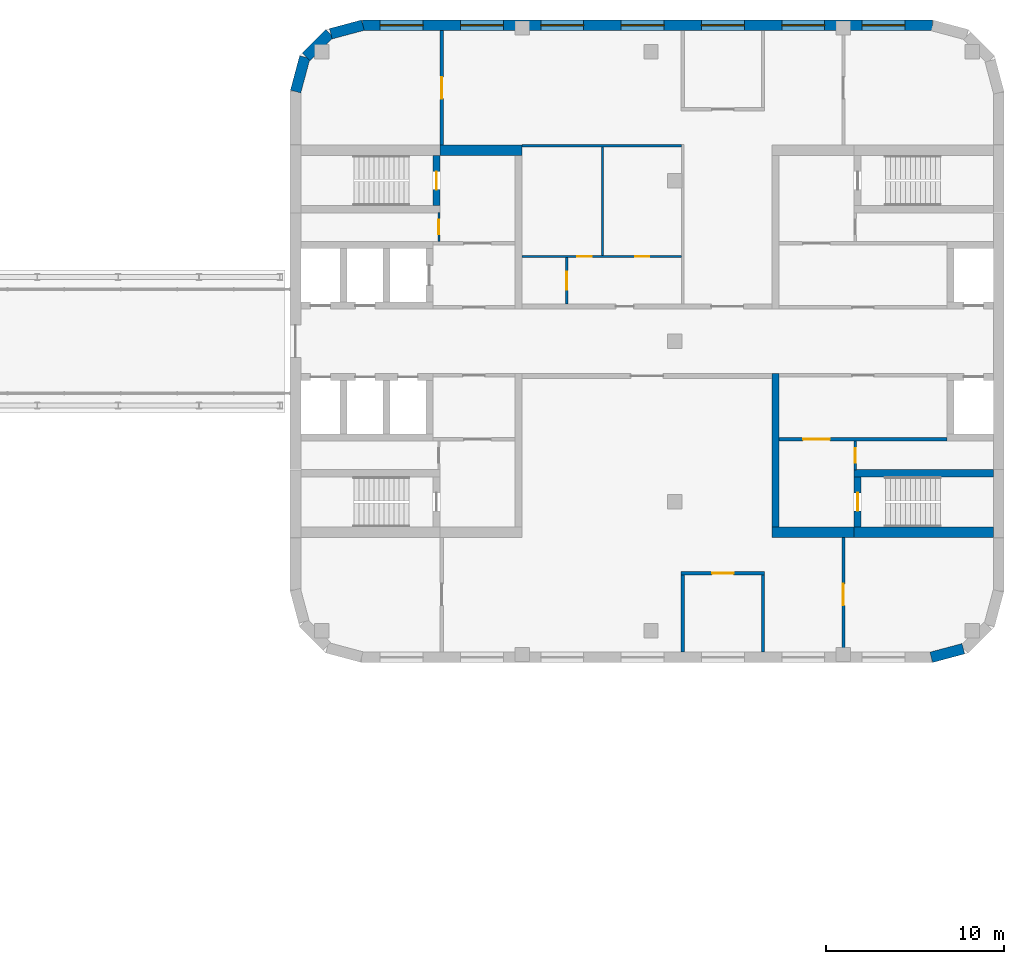
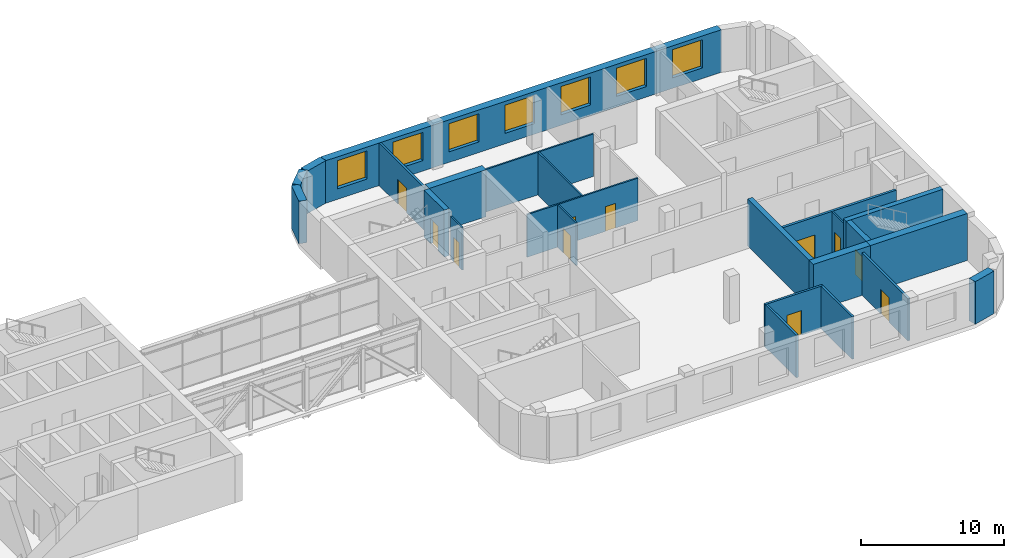
# One storey, part 11 of 18: 24 walls, 11 doors, 7 windows, 18 openings.
"""IFC4 building model written with IfcOpenShell, lengths in metres."""

from ifc_helpers import new_model, si_unit, direction, frame, frame_2d, origin, place, context, subcontext, project, spatial, rectangle, extrude, material, layer, layer_set, type_object, element, fill, save


model = new_model("IFC4")

# Units and contexts
model_context = context("Model", 3, precision=1e-05, world=origin(), true_north=direction((0.0, 1.0)))
body_context = subcontext(model_context, "Body", "Model", "MODEL_VIEW")
ifc_project = project(units=[si_unit("LENGTHUNIT", "METRE"), si_unit("AREAUNIT", "SQUARE_METRE"), si_unit("VOLUMEUNIT", "CUBIC_METRE"), si_unit("PLANEANGLEUNIT", "RADIAN"), si_unit("MASSUNIT", "GRAM", prefix="KILO")], contexts=[model_context])

# Site, building, storey
site_placement = place(None, origin())
site = spatial("IfcSite", under=ifc_project, at=site_placement, CompositionType="ELEMENT")
building_placement = place(site_placement, origin())
building = spatial("IfcBuilding", under=site, at=building_placement, Name="Skarvind Civic Tower", CompositionType="ELEMENT")
storey_placement = place(building_placement, frame((0.0, 0.0, 31.5)))
storey = spatial("IfcBuildingStorey", under=building, at=storey_placement, Name="L06", CompositionType="ELEMENT", Elevation=31.5)

# Wall, opening, door
ifc_material_1 = material(Name="Acoustic gypsum board on steel studs", Category="steel")
ifc_layer_1 = layer(ifc_material_1, 0.175048828125)
ifc_layer_set_1 = layer_set([ifc_layer_1], Name="ACOUSTIC MEETING-ROOM PARTITION 175")
wall_type_1 = type_object("IfcWallType", Name="ACOUSTIC MEETING-ROOM PARTITION 175", PredefinedType="PARTITIONING", material=ifc_layer_set_1)
wall_1_placement = place(storey_placement, frame((135.5, 145.39990234375, 0.0), z_axis=(0.0, 0.0, 1.0), x_axis=(0.0, -1.0, 0.0)))
wall_1 = element("IfcWall", 1, at=wall_1_placement, inside=storey, type_object=wall_type_1, Name="Partition 06.002", PredefinedType="PARTITIONING", context=body_context, shape_type="SweptSolid", body=[
    extrude(rectangle(XDim=6.39990234375, YDim=0.175048828125, at=frame_2d((3.199951171875, 0.0))), origin(), (0.0, 0.0, 1.0), 3.625),
])
opening_1_placement = place(wall_1_placement, frame((2.60009765625, 0.0, 0.0)))
opening_1 = element("IfcOpeningElement", 2, at=opening_1_placement, cuts=wall_1, Name="Opening L06-D107", PredefinedType="OPENING", context=body_context, shape_type="SweptSolid", body=[
    extrude(rectangle(XDim=1.199951171875, YDim=2.10009765625, at=frame_2d((0.60009765625, 1.050048828125))), frame((0.0, 0.097412109375, 0.0), z_axis=(0.0, -1.0, 0.0), x_axis=(1.0, 0.0, 0.0)), (0.0, 0.0, 1.0), 0.195068359375),
])
ifc_material_2 = material(Name="Timber door leaf", Category="wood")
door_type_1 = type_object("IfcDoorType", Name="DOOR 1200X2100 DOUBLE TIMBER", OperationType="NOTDEFINED", PredefinedType="DOOR", material=ifc_material_2)
door_1_placement = place(opening_1_placement, origin())
door_1 = element("IfcDoor", 3, at=door_1_placement, inside=storey, type_object=door_type_1, Name="Door L06-D107", OperationType="DOUBLE_DOOR_SINGLE_SWING", OverallHeight=2.10009765625, OverallWidth=1.199951171875, PredefinedType="DOOR", context=body_context, shape_type="SweptSolid", body=[
    extrude(rectangle(XDim=1.199951171875, YDim=2.10009765625, at=frame_2d((0.60009765625, 1.050048828125))), frame((0.0, 0.02490234375, 0.0), z_axis=(0.0, -1.0, 0.0), x_axis=(1.0, 0.0, 0.0)), (0.0, 0.0, 1.0), 0.050048828125),
])
fill(opening_1, door_1)

# Wall
wall_2_placement = place(storey_placement, frame((149.0, 110.60009765625, 0.0), z_axis=(0.0, 0.0, 1.0), x_axis=(0.0, 1.0, 0.0)))
element("IfcWall", 4, at=wall_2_placement, inside=storey, type_object=wall_type_1, Name="Partition 06.008", PredefinedType="PARTITIONING", context=body_context, shape_type="SweptSolid", body=[
    extrude(rectangle(XDim=4.31201171875, YDim=0.175048828125, at=frame_2d((2.156005859375, 0.0))), origin(), (0.0, 0.0, 1.0), 3.625),
])

# Wall, opening, door
wall_3_placement = place(storey_placement, frame((148.912109375, 115.0, 0.0), z_axis=(0.0, 0.0, 1.0), x_axis=(1.0, 0.0, 0.0)))
wall_3 = element("IfcWall", 5, at=wall_3_placement, inside=storey, type_object=wall_type_1, Name="Partition 06.009", PredefinedType="PARTITIONING", context=body_context, shape_type="SweptSolid", body=[
    extrude(rectangle(XDim=4.67578125, YDim=0.175048828125, at=frame_2d((2.337890625, 0.0))), origin(), (0.0, 0.0, 1.0), 3.625),
])
opening_2_placement = place(wall_3_placement, frame((1.738037109375, 0.0, 0.0)))
opening_2 = element("IfcOpeningElement", 6, at=opening_2_placement, cuts=wall_3, Name="Opening L06-D110", PredefinedType="OPENING", context=body_context, shape_type="SweptSolid", body=[
    extrude(rectangle(XDim=1.199951171875, YDim=2.10009765625, at=frame_2d((0.60009765625, 1.050048828125))), frame((0.0, 0.097412109375, 0.0), z_axis=(0.0, -1.0, 0.0), x_axis=(1.0, 0.0, 0.0)), (0.0, 0.0, 1.0), 0.195068359375),
])
door_2_placement = place(opening_2_placement, origin())
door_2 = element("IfcDoor", 7, at=door_2_placement, inside=storey, type_object=door_type_1, Name="Door L06-D110", OperationType="DOUBLE_DOOR_SINGLE_SWING", OverallHeight=2.10009765625, OverallWidth=1.199951171875, PredefinedType="DOOR", context=body_context, shape_type="SweptSolid", body=[
    extrude(rectangle(XDim=1.199951171875, YDim=2.10009765625, at=frame_2d((0.60009765625, 1.050048828125))), frame((0.0, 0.02490234375, 0.0), z_axis=(0.0, -1.0, 0.0), x_axis=(1.0, 0.0, 0.0)), (0.0, 0.0, 1.0), 0.050048828125),
])
fill(opening_2, door_2)

# Wall
wall_4_placement = place(storey_placement, frame((153.5, 114.912109375, 0.0), z_axis=(0.0, 0.0, 1.0), x_axis=(0.0, -1.0, 0.0)))
element("IfcWall", 8, at=wall_4_placement, inside=storey, type_object=wall_type_1, Name="Partition 06.012", PredefinedType="PARTITIONING", context=body_context, shape_type="SweptSolid", body=[
    extrude(rectangle(XDim=4.31201171875, YDim=0.175048828125, at=frame_2d((2.156005859375, 0.0))), origin(), (0.0, 0.0, 1.0), 3.625),
])

# Wall, opening, door
wall_5_placement = place(storey_placement, frame((158.0, 110.60009765625, 0.0), z_axis=(0.0, 0.0, 1.0), x_axis=(0.0, 1.0, 0.0)))
wall_5 = element("IfcWall", 9, at=wall_5_placement, inside=storey, type_object=wall_type_1, Name="Partition 06.016", PredefinedType="PARTITIONING", context=body_context, shape_type="SweptSolid", body=[
    extrude(rectangle(XDim=6.39990234375, YDim=0.175048828125, at=frame_2d((3.199951171875, 0.0))), origin(), (0.0, 0.0, 1.0), 3.625),
])
opening_3_placement = place(wall_5_placement, frame((2.60009765625, 0.0, 0.0)))
opening_3 = element("IfcOpeningElement", 10, at=opening_3_placement, cuts=wall_5, Name="Opening L06-D112", PredefinedType="OPENING", context=body_context, shape_type="SweptSolid", body=[
    extrude(rectangle(XDim=1.199951171875, YDim=2.10009765625, at=frame_2d((0.60009765625, 1.050048828125))), frame((0.0, 0.097412109375, 0.0), z_axis=(0.0, -1.0, 0.0), x_axis=(1.0, 0.0, 0.0)), (0.0, 0.0, 1.0), 0.195068359375),
])
door_3_placement = place(opening_3_placement, origin())
door_3 = element("IfcDoor", 11, at=door_3_placement, inside=storey, type_object=door_type_1, Name="Door L06-D112", OperationType="DOUBLE_DOOR_SINGLE_SWING", OverallHeight=2.10009765625, OverallWidth=1.199951171875, PredefinedType="DOOR", context=body_context, shape_type="SweptSolid", body=[
    extrude(rectangle(XDim=1.199951171875, YDim=2.10009765625, at=frame_2d((0.60009765625, 1.050048828125))), frame((0.0, 0.02490234375, 0.0), z_axis=(0.0, -1.0, 0.0), x_axis=(1.0, 0.0, 0.0)), (0.0, 0.0, 1.0), 0.050048828125),
])
fill(opening_3, door_3)

ifc_material_3 = material(Name="Fire-rated masonry partition", Category="masonry")
ifc_layer_2 = layer(ifc_material_3, 0.199951171875)
ifc_layer_set_2 = layer_set([ifc_layer_2], Name="Core enclosure wall 200")
wall_type_2 = type_object("IfcWallType", Name="Core enclosure wall 200", PredefinedType="PARTITIONING", material=ifc_layer_set_2)
wall_6_placement = place(storey_placement, frame((163.800048828125, 122.5, 0.0), z_axis=(0.0, 0.0, 1.0), x_axis=(-1.0, 0.0, 0.0)))
wall_6 = element("IfcWall", 12, at=wall_6_placement, inside=storey, type_object=wall_type_2, Name="Core wall CB", PredefinedType="PARTITIONING", context=body_context, shape_type="SweptSolid", body=[
    extrude(rectangle(XDim=9.400146484375, YDim=0.199951171875, at=frame_2d((4.7001953125, 0.0))), origin(), (0.0, 0.0, 1.0), 3.625),
])
opening_4_placement = place(wall_6_placement, frame((6.550048828125, 0.0, 0.0)))
opening_4 = element("IfcOpeningElement", 13, at=opening_4_placement, cuts=wall_6, Name="Opening D-L06-CB-04", PredefinedType="OPENING", context=body_context, shape_type="SweptSolid", body=[
    extrude(rectangle(XDim=1.5, YDim=2.10009765625, at=frame_2d((0.75, 1.050048828125))), frame((0.0, 0.10986328125, 0.0), z_axis=(0.0, -1.0, 0.0), x_axis=(1.0, 0.0, 0.0)), (0.0, 0.0, 1.0), 0.219970703125),
])
ifc_material_4 = material(Name="Fire-rated steel door", Category="steel")
door_type_2 = type_object("IfcDoorType", Name="Fire door 1500", OperationType="NOTDEFINED", PredefinedType="DOOR", material=ifc_material_4)
door_4_placement = place(opening_4_placement, origin())
door_4 = element("IfcDoor", 14, at=door_4_placement, inside=storey, type_object=door_type_2, Name="Fire door", OperationType="DOUBLE_DOOR_SINGLE_SWING", OverallHeight=2.10009765625, OverallWidth=1.5, PredefinedType="DOOR", context=body_context, shape_type="SweptSolid", body=[
    extrude(rectangle(XDim=1.5, YDim=2.10009765625, at=frame_2d((0.75, 1.050048828125))), frame((0.0, 0.02490234375, 0.0), z_axis=(0.0, -1.0, 0.0), x_axis=(1.0, 0.0, 0.0)), (0.0, 0.0, 1.0), 0.050048828125),
])
fill(opening_4, door_4)

ifc_material_5 = material(Name="Concrete C80", Category="concrete")
ifc_layer_3 = layer(ifc_material_5, 0.39990234375)
ifc_layer_set_3 = layer_set([ifc_layer_3], Name="Core wall 400 C80")
wall_type_3 = type_object("IfcWallType", Name="Core wall 400 C80", PredefinedType="SHEAR", material=ifc_layer_set_3)
wall_7_placement = place(storey_placement, frame((135.199951171875, 135.60009765625, 0.0), z_axis=(0.0, 0.0, 1.0), x_axis=(0.0, 1.0, 0.0)))
wall_7 = element("IfcWall", 15, at=wall_7_placement, inside=storey, type_object=wall_type_3, Name="Core wall CA north stair end L06", PredefinedType="SHEAR", context=body_context, shape_type="SweptSolid", body=[
    extrude(rectangle(XDim=2.7998046875, YDim=0.39990234375, at=frame_2d((1.39990234375, 0.0))), origin(), (0.0, 0.0, 1.0), 4.0),
])
opening_5_placement = place(wall_7_placement, frame((0.89990234375, 0.0, 0.0)))
opening_5 = element("IfcOpeningElement", 16, at=opening_5_placement, cuts=wall_7, Name="Opening D-L06-CA-08", PredefinedType="OPENING", context=body_context, shape_type="SweptSolid", body=[
    extrude(rectangle(XDim=1.0, YDim=2.10009765625, at=frame_2d((0.5, 1.050048828125))), frame((0.0, 0.2099609375, 0.0), z_axis=(0.0, -1.0, 0.0), x_axis=(1.0, 0.0, 0.0)), (0.0, 0.0, 1.0), 0.419921875),
])
door_type_3 = type_object("IfcDoorType", Name="Fire door 1000", OperationType="NOTDEFINED", PredefinedType="DOOR", material=ifc_material_4)
door_5_placement = place(opening_5_placement, origin())
door_5 = element("IfcDoor", 17, at=door_5_placement, inside=storey, type_object=door_type_3, Name="Fire door", OperationType="SINGLE_SWING_LEFT", OverallHeight=2.10009765625, OverallWidth=1.0, PredefinedType="DOOR", context=body_context, shape_type="SweptSolid", body=[
    extrude(rectangle(XDim=1.0, YDim=2.10009765625, at=frame_2d((0.5, 1.050048828125))), frame((0.0, 0.02490234375, 0.0), z_axis=(0.0, -1.0, 0.0), x_axis=(1.0, 0.0, 0.0)), (0.0, 0.0, 1.0), 0.050048828125),
])
fill(opening_5, door_5)

# Wall
wall_8_placement = place(storey_placement, frame((166.39990234375, 120.60009765625, 0.0), z_axis=(0.0, 0.0, 1.0), x_axis=(-1.0, 0.0, 0.0)))
element("IfcWall", 18, at=wall_8_placement, inside=storey, type_object=wall_type_3, Name="Core wall CB north stair inner L06", PredefinedType="SHEAR", context=body_context, shape_type="SweptSolid", body=[
    extrude(rectangle(XDim=7.7998046875, YDim=0.39990234375, at=frame_2d((3.89990234375, 0.0))), origin(), (0.0, 0.0, 1.0), 4.0),
])

# Wall, opening, door
wall_9_placement = place(storey_placement, frame((158.800048828125, 120.39990234375, 0.0), z_axis=(0.0, 0.0, 1.0), x_axis=(0.0, -1.0, 0.0)))
wall_9 = element("IfcWall", 19, at=wall_9_placement, inside=storey, type_object=wall_type_3, Name="Core wall CB north stair end L06", PredefinedType="SHEAR", context=body_context, shape_type="SweptSolid", body=[
    extrude(rectangle(XDim=2.7998046875, YDim=0.39990234375, at=frame_2d((1.39990234375, 0.0))), origin(), (0.0, 0.0, 1.0), 4.0),
])
opening_6_placement = place(wall_9_placement, frame((0.89990234375, 0.0, 0.0)))
opening_6 = element("IfcOpeningElement", 20, at=opening_6_placement, cuts=wall_9, Name="Opening D-L06-CB-05", PredefinedType="OPENING", context=body_context, shape_type="SweptSolid", body=[
    extrude(rectangle(XDim=1.0, YDim=2.10009765625, at=frame_2d((0.5, 1.050048828125))), frame((0.0, 0.2099609375, 0.0), z_axis=(0.0, -1.0, 0.0), x_axis=(1.0, 0.0, 0.0)), (0.0, 0.0, 1.0), 0.419921875),
])
door_6_placement = place(opening_6_placement, origin())
door_6 = element("IfcDoor", 21, at=door_6_placement, inside=storey, type_object=door_type_3, Name="Fire door", OperationType="SINGLE_SWING_LEFT", OverallHeight=2.10009765625, OverallWidth=1.0, PredefinedType="DOOR", context=body_context, shape_type="SweptSolid", body=[
    extrude(rectangle(XDim=1.0, YDim=2.10009765625, at=frame_2d((0.5, 1.050048828125))), frame((0.0, 0.02490234375, 0.0), z_axis=(0.0, -1.0, 0.0), x_axis=(1.0, 0.0, 0.0)), (0.0, 0.0, 1.0), 0.050048828125),
])
fill(opening_6, door_6)

# Walls
wall_10_placement = place(storey_placement, frame((154.199951171875, 126.199951171875, 0.0), z_axis=(0.0, 0.0, 1.0), x_axis=(0.0, -1.0, 0.0)))
element("IfcWall", 22, at=wall_10_placement, inside=storey, type_object=wall_type_3, Name="Core wall CB north inner face L06", PredefinedType="SHEAR", context=body_context, shape_type="SweptSolid", body=[
    extrude(rectangle(XDim=8.599853515625, YDim=0.39990234375, at=frame_2d((4.2998046875, 0.0))), origin(), (0.0, 0.0, 1.0), 4.0),
])
ifc_layer_4 = layer(ifc_material_5, 0.60009765625)
ifc_layer_set_4 = layer_set([ifc_layer_4], Name="Core wall 600 C80")
wall_type_4 = type_object("IfcWallType", Name="Core wall 600 C80", PredefinedType="SHEAR", material=ifc_layer_set_4)
wall_11_placement = place(storey_placement, frame((135.39990234375, 138.699951171875, 0.0), z_axis=(0.0, 0.0, 1.0), x_axis=(1.0, 0.0, 0.0)))
element("IfcWall", 23, at=wall_11_placement, inside=storey, type_object=wall_type_4, Name="Core wall CA north side L06", PredefinedType="SHEAR", context=body_context, shape_type="SweptSolid", body=[
    extrude(rectangle(XDim=4.60009765625, YDim=0.60009765625, at=frame_2d((2.300048828125, 0.0))), origin(), (0.0, 0.0, 1.0), 4.0),
])
wall_12_placement = place(storey_placement, frame((166.39990234375, 117.300048828125, 0.0), z_axis=(0.0, 0.0, 1.0), x_axis=(-1.0, 0.0, 0.0)))
element("IfcWall", 24, at=wall_12_placement, inside=storey, type_object=wall_type_4, Name="Core wall CB north side at the stair L06", PredefinedType="SHEAR", context=body_context, shape_type="SweptSolid", body=[
    extrude(rectangle(XDim=7.7998046875, YDim=0.60009765625, at=frame_2d((3.89990234375, 0.0))), origin(), (0.0, 0.0, 1.0), 4.0),
])
wall_13_placement = place(storey_placement, frame((158.60009765625, 117.300048828125, 0.0), z_axis=(0.0, 0.0, 1.0), x_axis=(-1.0, 0.0, 0.0)))
element("IfcWall", 25, at=wall_13_placement, inside=storey, type_object=wall_type_4, Name="Core wall CB north side L06", PredefinedType="SHEAR", context=body_context, shape_type="SweptSolid", body=[
    extrude(rectangle(XDim=4.60009765625, YDim=0.60009765625, at=frame_2d((2.300048828125, 0.0))), origin(), (0.0, 0.0, 1.0), 4.0),
])

# Wall, opening, door
ifc_layer_5 = layer(ifc_material_3, 0.125)
ifc_layer_set_5 = layer_set([ifc_layer_5], Name="Riser wall 125")
wall_type_5 = type_object("IfcWallType", Name="Riser wall 125", PredefinedType="PARTITIONING", material=ifc_layer_set_5)
wall_14_placement = place(storey_placement, frame((135.33740234375, 135.199951171875, 0.0), z_axis=(0.0, 0.0, 1.0), x_axis=(0.0, -1.0, 0.0)))
wall_14 = element("IfcWall", 26, at=wall_14_placement, inside=storey, type_object=wall_type_5, Name="Core wall CA", PredefinedType="PARTITIONING", context=body_context, shape_type="SweptSolid", body=[
    extrude(rectangle(XDim=1.599853515625, YDim=0.125, at=frame_2d((0.7998046875, 0.0))), origin(), (0.0, 0.0, 1.0), 3.625),
])
opening_7_placement = place(wall_14_placement, frame((0.39990234375, 0.0, 0.0)))
opening_7 = element("IfcOpeningElement", 27, at=opening_7_placement, cuts=wall_14, Name="Opening D-L06-CA-09", PredefinedType="OPENING", context=body_context, shape_type="SweptSolid", body=[
    extrude(rectangle(XDim=0.800048828125, YDim=2.10009765625, at=frame_2d((0.39990234375, 1.050048828125))), frame((0.0, 0.072509765625, 0.0), z_axis=(0.0, -1.0, 0.0), x_axis=(1.0, 0.0, 0.0)), (0.0, 0.0, 1.0), 0.14501953125),
])
door_type_4 = type_object("IfcDoorType", Name="Core riser door 800", OperationType="NOTDEFINED", PredefinedType="DOOR", material=ifc_material_4)
door_7_placement = place(opening_7_placement, origin())
door_7 = element("IfcDoor", 28, at=door_7_placement, inside=storey, type_object=door_type_4, Name="Riser door", OperationType="SINGLE_SWING_RIGHT", OverallHeight=2.10009765625, OverallWidth=0.800048828125, PredefinedType="DOOR", context=body_context, shape_type="SweptSolid", body=[
    extrude(rectangle(XDim=0.800048828125, YDim=2.10009765625, at=frame_2d((0.39990234375, 1.050048828125))), frame((0.0, 0.02490234375, 0.0), z_axis=(0.0, -1.0, 0.0), x_axis=(1.0, 0.0, 0.0)), (0.0, 0.0, 1.0), 0.050048828125),
])
fill(opening_7, door_7)

wall_15_placement = place(storey_placement, frame((158.66259765625, 120.800048828125, 0.0), z_axis=(0.0, 0.0, 1.0), x_axis=(0.0, 1.0, 0.0)))
wall_15 = element("IfcWall", 29, at=wall_15_placement, inside=storey, type_object=wall_type_5, Name="Core wall CB", PredefinedType="PARTITIONING", context=body_context, shape_type="SweptSolid", body=[
    extrude(rectangle(XDim=1.599853515625, YDim=0.125, at=frame_2d((0.7998046875, 0.0))), origin(), (0.0, 0.0, 1.0), 3.625),
])
opening_8_placement = place(wall_15_placement, frame((0.39990234375, 0.0, 0.0)))
opening_8 = element("IfcOpeningElement", 30, at=opening_8_placement, cuts=wall_15, Name="Opening D-L06-CB-06", PredefinedType="OPENING", context=body_context, shape_type="SweptSolid", body=[
    extrude(rectangle(XDim=0.800048828125, YDim=2.10009765625, at=frame_2d((0.39990234375, 1.050048828125))), frame((0.0, 0.072509765625, 0.0), z_axis=(0.0, -1.0, 0.0), x_axis=(1.0, 0.0, 0.0)), (0.0, 0.0, 1.0), 0.14501953125),
])
door_8_placement = place(opening_8_placement, origin())
door_8 = element("IfcDoor", 31, at=door_8_placement, inside=storey, type_object=door_type_4, Name="Riser door", OperationType="SINGLE_SWING_RIGHT", OverallHeight=2.10009765625, OverallWidth=0.800048828125, PredefinedType="DOOR", context=body_context, shape_type="SweptSolid", body=[
    extrude(rectangle(XDim=0.800048828125, YDim=2.10009765625, at=frame_2d((0.39990234375, 1.050048828125))), frame((0.0, 0.02490234375, 0.0), z_axis=(0.0, -1.0, 0.0), x_axis=(1.0, 0.0, 0.0)), (0.0, 0.0, 1.0), 0.050048828125),
])
fill(opening_8, door_8)

# Wall, openings, doors
ifc_material_6 = material(Name="Moisture-resistant gypsum board on steel studs", Category="steel")
ifc_layer_6 = layer(ifc_material_6, 0.125)
ifc_layer_set_6 = layer_set([ifc_layer_6], Name="WC PARTITION 125")
wall_type_6 = type_object("IfcWallType", Name="WC PARTITION 125", PredefinedType="PARTITIONING", material=ifc_layer_set_6)
wall_16_placement = place(storey_placement, frame((140.0, 132.75, 0.0), z_axis=(0.0, 0.0, 1.0), x_axis=(1.0, 0.0, 0.0)))
wall_16 = element("IfcWall", 32, at=wall_16_placement, inside=storey, type_object=wall_type_6, Name="Partition 06.004", PredefinedType="PARTITIONING", context=body_context, shape_type="SweptSolid", body=[
    extrude(rectangle(XDim=8.93798828125, YDim=0.125, at=frame_2d((4.468994140625, 0.0))), origin(), (0.0, 0.0, 1.0), 3.625),
])
opening_9_placement = place(wall_16_placement, frame((6.3291015625, 0.0, 0.0)))
opening_9 = element("IfcOpeningElement", 33, at=opening_9_placement, cuts=wall_16, Name="Opening L06-D103", PredefinedType="OPENING", context=body_context, shape_type="SweptSolid", body=[
    extrude(rectangle(XDim=0.800048828125, YDim=2.10009765625, at=frame_2d((0.39990234375, 1.050048828125))), frame((0.0, 0.072509765625, 0.0), z_axis=(0.0, -1.0, 0.0), x_axis=(1.0, 0.0, 0.0)), (0.0, 0.0, 1.0), 0.14501953125),
])
opening_10_placement = place(wall_16_placement, frame((3.10009765625, 0.0, 0.0)))
opening_10 = element("IfcOpeningElement", 34, at=opening_10_placement, cuts=wall_16, Name="Opening L06-D104", PredefinedType="OPENING", context=body_context, shape_type="SweptSolid", body=[
    extrude(rectangle(XDim=0.800048828125, YDim=2.10009765625, at=frame_2d((0.39990234375, 1.050048828125))), frame((0.0, 0.072509765625, 0.0), z_axis=(0.0, -1.0, 0.0), x_axis=(1.0, 0.0, 0.0)), (0.0, 0.0, 1.0), 0.14501953125),
])
door_type_5 = type_object("IfcDoorType", Name="DOOR 800X2100 TIMBER", OperationType="NOTDEFINED", PredefinedType="DOOR", material=ifc_material_2)
door_9_placement = place(opening_9_placement, origin())
door_9 = element("IfcDoor", 35, at=door_9_placement, inside=storey, type_object=door_type_5, Name="Door L06-D103", OperationType="SINGLE_SWING_RIGHT", OverallHeight=2.10009765625, OverallWidth=0.800048828125, PredefinedType="DOOR", context=body_context, shape_type="SweptSolid", body=[
    extrude(rectangle(XDim=0.800048828125, YDim=2.10009765625, at=frame_2d((0.39990234375, 1.050048828125))), frame((0.0, 0.02490234375, 0.0), z_axis=(0.0, -1.0, 0.0), x_axis=(1.0, 0.0, 0.0)), (0.0, 0.0, 1.0), 0.050048828125),
])
fill(opening_9, door_9)
door_10_placement = place(opening_10_placement, origin())
door_10 = element("IfcDoor", 36, at=door_10_placement, inside=storey, type_object=door_type_5, Name="Door L06-D104", OperationType="SINGLE_SWING_LEFT", OverallHeight=2.10009765625, OverallWidth=0.800048828125, PredefinedType="DOOR", context=body_context, shape_type="SweptSolid", body=[
    extrude(rectangle(XDim=0.800048828125, YDim=2.10009765625, at=frame_2d((0.39990234375, 1.050048828125))), frame((0.0, 0.02490234375, 0.0), z_axis=(0.0, -1.0, 0.0), x_axis=(1.0, 0.0, 0.0)), (0.0, 0.0, 1.0), 0.050048828125),
])
fill(opening_10, door_10)

# Wall
wall_17_placement = place(storey_placement, frame((140.0, 138.949951171875, 0.0), z_axis=(0.0, 0.0, 1.0), x_axis=(1.0, 0.0, 0.0)))
element("IfcWall", 37, at=wall_17_placement, inside=storey, type_object=wall_type_6, Name="Partition 06.005", PredefinedType="PARTITIONING", context=body_context, shape_type="SweptSolid", body=[
    extrude(rectangle(XDim=8.93798828125, YDim=0.125, at=frame_2d((4.468994140625, 0.0))), origin(), (0.0, 0.0, 1.0), 3.625),
])

# Wall, opening, door
wall_18_placement = place(storey_placement, frame((142.5, 130.10009765625, 0.0), z_axis=(0.0, 0.0, 1.0), x_axis=(0.0, 1.0, 0.0)))
wall_18 = element("IfcWall", 38, at=wall_18_placement, inside=storey, type_object=wall_type_6, Name="Partition 06.006", PredefinedType="PARTITIONING", context=body_context, shape_type="SweptSolid", body=[
    extrude(rectangle(XDim=2.587890625, YDim=0.125, at=frame_2d((1.2939453125, 0.0))), origin(), (0.0, 0.0, 1.0), 3.625),
])
opening_11_placement = place(wall_18_placement, frame((0.7939453125, 0.0, 0.0)))
opening_11 = element("IfcOpeningElement", 39, at=opening_11_placement, cuts=wall_18, Name="Opening L06-D102", PredefinedType="OPENING", context=body_context, shape_type="SweptSolid", body=[
    extrude(rectangle(XDim=1.0, YDim=2.10009765625, at=frame_2d((0.5, 1.050048828125))), frame((0.0, 0.072509765625, 0.0), z_axis=(0.0, -1.0, 0.0), x_axis=(1.0, 0.0, 0.0)), (0.0, 0.0, 1.0), 0.14501953125),
])
door_type_6 = type_object("IfcDoorType", Name="D1 1000x2100", OperationType="NOTDEFINED", PredefinedType="DOOR", material=ifc_material_2)
door_11_placement = place(opening_11_placement, origin())
door_11 = element("IfcDoor", 40, at=door_11_placement, inside=storey, type_object=door_type_6, Name="Door L06-D102", OperationType="SINGLE_SWING_RIGHT", OverallHeight=2.10009765625, OverallWidth=1.0, PredefinedType="DOOR", context=body_context, shape_type="SweptSolid", body=[
    extrude(rectangle(XDim=1.0, YDim=2.10009765625, at=frame_2d((0.5, 1.050048828125))), frame((0.0, 0.02490234375, 0.0), z_axis=(0.0, -1.0, 0.0), x_axis=(1.0, 0.0, 0.0)), (0.0, 0.0, 1.0), 0.050048828125),
])
fill(opening_11, door_11)

# Wall
wall_19_placement = place(storey_placement, frame((144.5, 138.887939453125, 0.0), z_axis=(0.0, 0.0, 1.0), x_axis=(0.0, -1.0, 0.0)))
element("IfcWall", 41, at=wall_19_placement, inside=storey, type_object=wall_type_6, Name="Partition 06.007", PredefinedType="PARTITIONING", context=body_context, shape_type="SweptSolid", body=[
    extrude(rectangle(XDim=6.075927734375, YDim=0.125, at=frame_2d((3.0380859375, 0.0))), origin(), (0.0, 0.0, 1.0), 3.625),
])

# Wall, openings, windows
ifc_material_7 = material(Name="Limestone masonry cladding on insulated backing", Category="masonry")
ifc_layer_7 = layer(ifc_material_7, 0.60009765625)
ifc_layer_set_7 = layer_set([ifc_layer_7], Name="WX1 STONE FACADE WALL 600")
wall_type_7 = type_object("IfcWallType", Name="WX1 STONE FACADE WALL 600", PredefinedType="SOLIDWALL", material=ifc_layer_set_7)
wall_20_placement = place(storey_placement, frame((131.070068359375, 145.699951171875, 0.0), z_axis=(0.0, 0.0, 1.0), x_axis=(1.0, 0.0, 0.0)))
wall_20 = element("IfcWall", 42, at=wall_20_placement, inside=storey, type_object=wall_type_7, Name="STONE FACADE WALL", PredefinedType="SOLIDWALL", context=body_context, shape_type="SweptSolid", body=[
    extrude(rectangle(XDim=31.929931640625, YDim=0.60009765625, at=frame_2d((15.96484375, 0.0))), origin(), (0.0, 0.0, 1.0), 3.625),
])
opening_12_placement = place(wall_20_placement, frame((0.97998046875, 0.0, 0.89990234375)))
opening_12 = element("IfcOpeningElement", 43, at=opening_12_placement, cuts=wall_20, Name="Opening WN9", PredefinedType="OPENING", context=body_context, shape_type="SweptSolid", body=[
    extrude(rectangle(XDim=2.39990234375, YDim=2.39990234375, at=frame_2d((1.199951171875, 1.199951171875))), frame((0.0, 0.31005859375, 0.0), z_axis=(0.0, -1.0, 0.0), x_axis=(1.0, 0.0, 0.0)), (0.0, 0.0, 1.0), 0.6201171875),
])
opening_13_placement = place(wall_20_placement, frame((5.47998046875, 0.0, 0.89990234375)))
opening_13 = element("IfcOpeningElement", 44, at=opening_13_placement, cuts=wall_20, Name="Opening WN9", PredefinedType="OPENING", context=body_context, shape_type="SweptSolid", body=[
    extrude(rectangle(XDim=2.39990234375, YDim=2.39990234375, at=frame_2d((1.199951171875, 1.199951171875))), frame((0.0, 0.31005859375, 0.0), z_axis=(0.0, -1.0, 0.0), x_axis=(1.0, 0.0, 0.0)), (0.0, 0.0, 1.0), 0.6201171875),
])
opening_14_placement = place(wall_20_placement, frame((9.97998046875, 0.0, 0.89990234375)))
opening_14 = element("IfcOpeningElement", 45, at=opening_14_placement, cuts=wall_20, Name="Opening WN9", PredefinedType="OPENING", context=body_context, shape_type="SweptSolid", body=[
    extrude(rectangle(XDim=2.39990234375, YDim=2.39990234375, at=frame_2d((1.199951171875, 1.199951171875))), frame((0.0, 0.31005859375, 0.0), z_axis=(0.0, -1.0, 0.0), x_axis=(1.0, 0.0, 0.0)), (0.0, 0.0, 1.0), 0.6201171875),
])
opening_15_placement = place(wall_20_placement, frame((14.47998046875, 0.0, 0.89990234375)))
opening_15 = element("IfcOpeningElement", 46, at=opening_15_placement, cuts=wall_20, Name="Opening WN9", PredefinedType="OPENING", context=body_context, shape_type="SweptSolid", body=[
    extrude(rectangle(XDim=2.39990234375, YDim=2.39990234375, at=frame_2d((1.199951171875, 1.199951171875))), frame((0.0, 0.31005859375, 0.0), z_axis=(0.0, -1.0, 0.0), x_axis=(1.0, 0.0, 0.0)), (0.0, 0.0, 1.0), 0.6201171875),
])
opening_16_placement = place(wall_20_placement, frame((18.97998046875, 0.0, 0.89990234375)))
opening_16 = element("IfcOpeningElement", 47, at=opening_16_placement, cuts=wall_20, Name="Opening WN9", PredefinedType="OPENING", context=body_context, shape_type="SweptSolid", body=[
    extrude(rectangle(XDim=2.39990234375, YDim=2.39990234375, at=frame_2d((1.199951171875, 1.199951171875))), frame((0.0, 0.31005859375, 0.0), z_axis=(0.0, -1.0, 0.0), x_axis=(1.0, 0.0, 0.0)), (0.0, 0.0, 1.0), 0.6201171875),
])
opening_17_placement = place(wall_20_placement, frame((23.47998046875, 0.0, 0.89990234375)))
opening_17 = element("IfcOpeningElement", 48, at=opening_17_placement, cuts=wall_20, Name="Opening WN9", PredefinedType="OPENING", context=body_context, shape_type="SweptSolid", body=[
    extrude(rectangle(XDim=2.39990234375, YDim=2.39990234375, at=frame_2d((1.199951171875, 1.199951171875))), frame((0.0, 0.31005859375, 0.0), z_axis=(0.0, -1.0, 0.0), x_axis=(1.0, 0.0, 0.0)), (0.0, 0.0, 1.0), 0.6201171875),
])
opening_18_placement = place(wall_20_placement, frame((27.97998046875, 0.0, 0.89990234375)))
opening_18 = element("IfcOpeningElement", 49, at=opening_18_placement, cuts=wall_20, Name="Opening WN9", PredefinedType="OPENING", context=body_context, shape_type="SweptSolid", body=[
    extrude(rectangle(XDim=2.39990234375, YDim=2.39990234375, at=frame_2d((1.199951171875, 1.199951171875))), frame((0.0, 0.31005859375, 0.0), z_axis=(0.0, -1.0, 0.0), x_axis=(1.0, 0.0, 0.0)), (0.0, 0.0, 1.0), 0.6201171875),
])
ifc_material_8 = material(Name="Timber frame, double glazing, timber-lined reveal", Category="wood")
window_type = type_object("IfcWindowType", Name="WN9 COMPANION TOWER WINDOW 2400 x 2400", PartitioningType="SINGLE_PANEL", PredefinedType="WINDOW", material=ifc_material_8)
window_1_placement = place(opening_12_placement, origin())
window_1 = element("IfcWindow", 50, at=window_1_placement, inside=storey, type_object=window_type, Name="WN9 WINDOW", OverallHeight=2.39990234375, OverallWidth=2.39990234375, PartitioningType="SINGLE_PANEL", PredefinedType="WINDOW", context=body_context, shape_type="SweptSolid", body=[
    extrude(rectangle(XDim=2.39990234375, YDim=2.39990234375, at=frame_2d((1.199951171875, 1.199951171875))), frame((0.0, 0.030029296875, 0.0), z_axis=(0.0, -1.0, 0.0), x_axis=(1.0, 0.0, 0.0)), (0.0, 0.0, 1.0), 0.06005859375),
])
fill(opening_12, window_1)
window_2_placement = place(opening_13_placement, origin())
window_2 = element("IfcWindow", 51, at=window_2_placement, inside=storey, type_object=window_type, Name="WN9 WINDOW", OverallHeight=2.39990234375, OverallWidth=2.39990234375, PartitioningType="SINGLE_PANEL", PredefinedType="WINDOW", context=body_context, shape_type="SweptSolid", body=[
    extrude(rectangle(XDim=2.39990234375, YDim=2.39990234375, at=frame_2d((1.199951171875, 1.199951171875))), frame((0.0, 0.030029296875, 0.0), z_axis=(0.0, -1.0, 0.0), x_axis=(1.0, 0.0, 0.0)), (0.0, 0.0, 1.0), 0.06005859375),
])
fill(opening_13, window_2)
window_3_placement = place(opening_14_placement, origin())
window_3 = element("IfcWindow", 52, at=window_3_placement, inside=storey, type_object=window_type, Name="WN9 WINDOW", OverallHeight=2.39990234375, OverallWidth=2.39990234375, PartitioningType="SINGLE_PANEL", PredefinedType="WINDOW", context=body_context, shape_type="SweptSolid", body=[
    extrude(rectangle(XDim=2.39990234375, YDim=2.39990234375, at=frame_2d((1.199951171875, 1.199951171875))), frame((0.0, 0.030029296875, 0.0), z_axis=(0.0, -1.0, 0.0), x_axis=(1.0, 0.0, 0.0)), (0.0, 0.0, 1.0), 0.06005859375),
])
fill(opening_14, window_3)
window_4_placement = place(opening_15_placement, origin())
window_4 = element("IfcWindow", 53, at=window_4_placement, inside=storey, type_object=window_type, Name="WN9 WINDOW", OverallHeight=2.39990234375, OverallWidth=2.39990234375, PartitioningType="SINGLE_PANEL", PredefinedType="WINDOW", context=body_context, shape_type="SweptSolid", body=[
    extrude(rectangle(XDim=2.39990234375, YDim=2.39990234375, at=frame_2d((1.199951171875, 1.199951171875))), frame((0.0, 0.030029296875, 0.0), z_axis=(0.0, -1.0, 0.0), x_axis=(1.0, 0.0, 0.0)), (0.0, 0.0, 1.0), 0.06005859375),
])
fill(opening_15, window_4)
window_5_placement = place(opening_16_placement, origin())
window_5 = element("IfcWindow", 54, at=window_5_placement, inside=storey, type_object=window_type, Name="WN9 WINDOW", OverallHeight=2.39990234375, OverallWidth=2.39990234375, PartitioningType="SINGLE_PANEL", PredefinedType="WINDOW", context=body_context, shape_type="SweptSolid", body=[
    extrude(rectangle(XDim=2.39990234375, YDim=2.39990234375, at=frame_2d((1.199951171875, 1.199951171875))), frame((0.0, 0.030029296875, 0.0), z_axis=(0.0, -1.0, 0.0), x_axis=(1.0, 0.0, 0.0)), (0.0, 0.0, 1.0), 0.06005859375),
])
fill(opening_16, window_5)
window_6_placement = place(opening_17_placement, origin())
window_6 = element("IfcWindow", 55, at=window_6_placement, inside=storey, type_object=window_type, Name="WN9 WINDOW", OverallHeight=2.39990234375, OverallWidth=2.39990234375, PartitioningType="SINGLE_PANEL", PredefinedType="WINDOW", context=body_context, shape_type="SweptSolid", body=[
    extrude(rectangle(XDim=2.39990234375, YDim=2.39990234375, at=frame_2d((1.199951171875, 1.199951171875))), frame((0.0, 0.030029296875, 0.0), z_axis=(0.0, -1.0, 0.0), x_axis=(1.0, 0.0, 0.0)), (0.0, 0.0, 1.0), 0.06005859375),
])
fill(opening_17, window_6)
window_7_placement = place(opening_18_placement, origin())
window_7 = element("IfcWindow", 56, at=window_7_placement, inside=storey, type_object=window_type, Name="WN9 WINDOW", OverallHeight=2.39990234375, OverallWidth=2.39990234375, PartitioningType="SINGLE_PANEL", PredefinedType="WINDOW", context=body_context, shape_type="SweptSolid", body=[
    extrude(rectangle(XDim=2.39990234375, YDim=2.39990234375, at=frame_2d((1.199951171875, 1.199951171875))), frame((0.0, 0.030029296875, 0.0), z_axis=(0.0, -1.0, 0.0), x_axis=(1.0, 0.0, 0.0)), (0.0, 0.0, 1.0), 0.06005859375),
])
fill(opening_18, window_7)

# Walls
for number, where, z_axis, x_axis, name in (
    (57, (129.280517578125, 145.228759765625, 0.0), (0.0, 0.0, 1.0), (0.965938094805, 0.258773254036, 0.0), "STONE FACADE WALL"),
    (58, (127.896484375, 143.936279296875, 0.0), (0.0, 0.0, 1.0), (0.707106781187, 0.707106781187, 0.0), "STONE FACADE WALL"),
):
    element("IfcWall", number, at=place(storey_placement, frame(where, z_axis=z_axis, x_axis=x_axis)), inside=storey, type_object=wall_type_7, Name=name, PredefinedType="SOLIDWALL", context=body_context, shape_type="SweptSolid", body=[
        extrude(rectangle(XDim=1.860595703125, YDim=0.60009765625, at=frame_2d((0.93017578125, 0.0))), origin(), (0.0, 0.0, 1.0), 3.625),
    ])
wall_21_placement = place(storey_placement, frame((127.307861328125, 141.989990234375, 0.0), z_axis=(0.0, 0.0, 1.0), x_axis=(0.258839784042, 0.965920269068, 0.0)))
element("IfcWall", 59, at=wall_21_placement, inside=storey, type_object=wall_type_7, Name="STONE FACADE WALL", PredefinedType="SOLIDWALL", context=body_context, shape_type="SweptSolid", body=[
    extrude(rectangle(XDim=2.00048828125, YDim=0.60009765625, at=frame_2d((1.000244140625, 0.0))), origin(), (0.0, 0.0, 1.0), 3.625),
])
wall_22_placement = place(storey_placement, frame((164.719482421875, 110.771240234375, 0.0), z_axis=(0.0, 0.0, 1.0), x_axis=(-0.965938094805, -0.258773254036, 0.0)))
element("IfcWall", 60, at=wall_22_placement, inside=storey, type_object=wall_type_7, Name="STONE FACADE WALL", PredefinedType="SOLIDWALL", context=body_context, shape_type="SweptSolid", body=[
    extrude(rectangle(XDim=1.860595703125, YDim=0.60009765625, at=frame_2d((0.93017578125, 0.0))), origin(), (0.0, 0.0, 1.0), 3.625),
])

save(model, "model.ifc")
